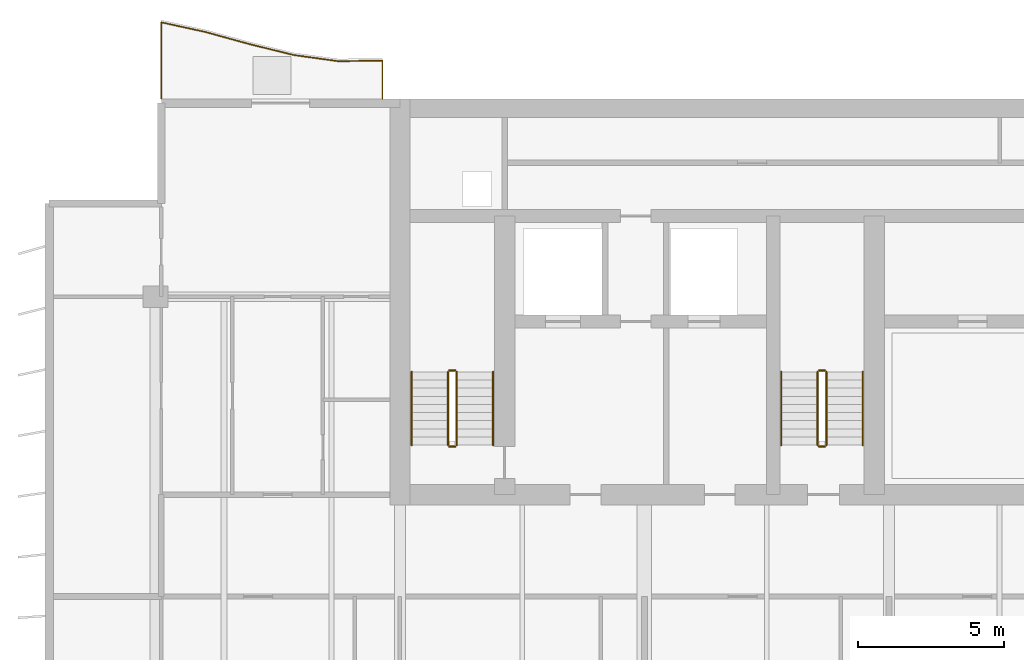
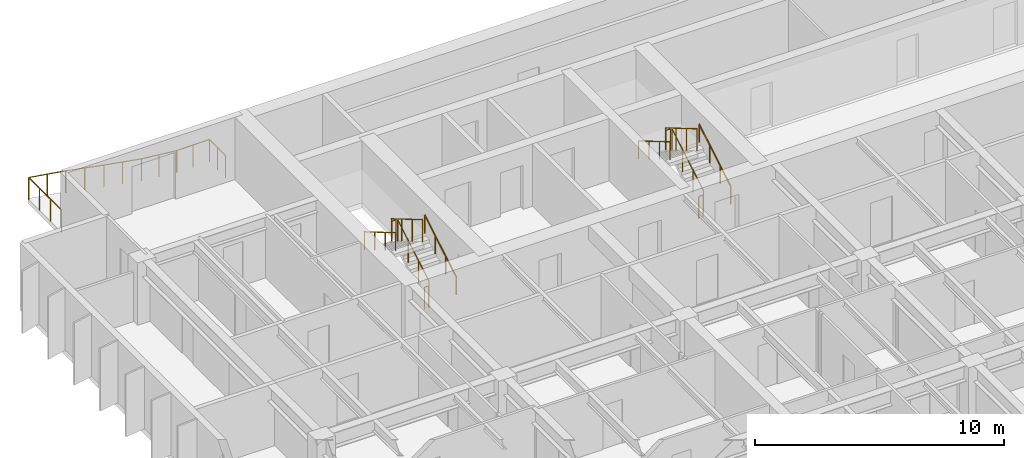
# One storey, part 17 of 19: 13 railings.
"""IFC4 building model written with IfcOpenShell, lengths in metres."""

from ifc_helpers import new_model, si_unit, direction, frame, origin, origin_2d, place, context, subcontext, project, spatial, circle, extrude, material, type_object, element, save


model = new_model("IFC4")

# Units and contexts
model_context = context("Model", 3, precision=1e-05, world=origin(), true_north=direction((0.0, 1.0)))
body_context = subcontext(model_context, "Body", "Model", "MODEL_VIEW")
ifc_project = project(units=[si_unit("LENGTHUNIT", "METRE"), si_unit("AREAUNIT", "SQUARE_METRE"), si_unit("VOLUMEUNIT", "CUBIC_METRE"), si_unit("PLANEANGLEUNIT", "RADIAN"), si_unit("MASSUNIT", "GRAM", prefix="KILO")], contexts=[model_context])

# Site, building, storey
site_placement = place(None, origin())
site = spatial("IfcSite", under=ifc_project, at=site_placement, CompositionType="ELEMENT")
building_placement = place(site_placement, origin())
building = spatial("IfcBuilding", under=site, at=building_placement, Name="Caelmar Bay Residences", CompositionType="ELEMENT")
storey_placement = place(building_placement, frame((0.0, 0.0, 195.0)))
storey = spatial("IfcBuildingStorey", under=building, at=storey_placement, Name="L54", CompositionType="ELEMENT", Elevation=195.0)

# Railings
ifc_material_1 = material(Name="Anodised bronze handrail with laminated hurricane glass infill", Category="glass")
railing_type_1 = type_object("IfcRailingType", Name="RL-BAL-1100", PredefinedType="BALUSTRADE", material=ifc_material_1)
railing_1_placement = place(storey_placement, frame((17.699951171875, 50.60009765625, 0.0)))
element("IfcRailing", 1, at=railing_1_placement, inside=storey, type_object=railing_type_1, Name="L54 north_west Balcony Balustrade", PredefinedType="BALUSTRADE", context=body_context, shape_type="SweptSolid", body=[
    extrude(circle(Radius=0.02392578125, at=origin_2d()), frame((0.0, 0.0, 1.076171875), z_axis=(0.0, 1.0, 0.0), x_axis=(-1.0, 0.0, 0.0)), (0.0, 0.0, 1.0), 1.310302734375),
    extrude(circle(Radius=0.02392578125, at=origin_2d()), frame((0.0, 1.310302734375, 1.076171875), z_axis=(-0.999921532492, -0.012527124885, 0.0), x_axis=(0.012527124885, -0.999921532492, 0.0)), (0.0, 0.0, 1.0), 1.52001953125),
    extrude(circle(Radius=0.02392578125, at=origin_2d()), frame((-1.52001953125, 1.291259765625, 1.076171875), z_axis=(-0.990551196857, 0.137143451926, 0.0), x_axis=(-0.137143451926, -0.990551196857, 0.0)), (0.0, 0.0, 1.0), 1.534423828125),
    extrude(circle(Radius=0.02392578125, at=origin_2d()), frame((-3.0400390625, 1.501708984375, 1.076171875), z_axis=(-0.971143394628, 0.238496346031, 0.0), x_axis=(-0.238496346031, -0.971143394628, 0.0)), (0.0, 0.0, 1.0), 1.565185546875),
    extrude(circle(Radius=0.02392578125, at=origin_2d()), frame((-4.56005859375, 1.875, 1.076171875), z_axis=(-0.964041885028, 0.265750341319, 0.0), x_axis=(-0.265750341319, -0.964041885028, 0.0)), (0.0, 0.0, 1.0), 1.576416015625),
    extrude(circle(Radius=0.02392578125, at=origin_2d()), frame((-6.079833984375, 2.2939453125, 1.076171875), z_axis=(-0.976865202557, 0.2138559703, 0.0), x_axis=(-0.2138559703, -0.976865202557, 0.0)), (0.0, 0.0, 1.0), 1.555908203125),
    extrude(circle(Radius=0.02392578125, at=origin_2d()), frame((-7.599853515625, 2.626708984375, 1.076171875), z_axis=(0.0, -1.0, 0.0), x_axis=(1.0, 0.0, 0.0)), (0.0, 0.0, 1.0), 2.626708984375),
    extrude(circle(Radius=0.02099609375, at=origin_2d()), origin(), (0.0, 0.0, 1.0), 1.052001953125),
    extrude(circle(Radius=0.02099609375, at=origin_2d()), frame((0.0, 0.6552734375, 0.0)), (0.0, 0.0, 1.0), 1.052001953125),
    extrude(circle(Radius=0.02099609375, at=origin_2d()), frame((0.0, 1.310302734375, 0.0)), (0.0, 0.0, 1.0), 1.052001953125),
    extrude(circle(Radius=0.02099609375, at=origin_2d()), frame((-0.760009765625, 1.30078125, 0.0)), (0.0, 0.0, 1.0), 1.052001953125),
    extrude(circle(Radius=0.02099609375, at=origin_2d()), frame((-1.52001953125, 1.291259765625, 0.0)), (0.0, 0.0, 1.0), 1.052001953125),
    extrude(circle(Radius=0.02099609375, at=origin_2d()), frame((-2.280029296875, 1.396484375, 0.0)), (0.0, 0.0, 1.0), 1.052001953125),
    extrude(circle(Radius=0.02099609375, at=origin_2d()), frame((-3.0400390625, 1.501708984375, 0.0)), (0.0, 0.0, 1.0), 1.052001953125),
    extrude(circle(Radius=0.02099609375, at=origin_2d()), frame((-3.800048828125, 1.6884765625, 0.0)), (0.0, 0.0, 1.0), 1.052001953125),
    extrude(circle(Radius=0.02099609375, at=origin_2d()), frame((-4.56005859375, 1.875, 0.0)), (0.0, 0.0, 1.0), 1.052001953125),
    extrude(circle(Radius=0.02099609375, at=origin_2d()), frame((-5.31982421875, 2.08447265625, 0.0)), (0.0, 0.0, 1.0), 1.052001953125),
    extrude(circle(Radius=0.02099609375, at=origin_2d()), frame((-6.079833984375, 2.2939453125, 0.0)), (0.0, 0.0, 1.0), 1.052001953125),
    extrude(circle(Radius=0.02099609375, at=origin_2d()), frame((-6.83984375, 2.46044921875, 0.0)), (0.0, 0.0, 1.0), 1.052001953125),
    extrude(circle(Radius=0.02099609375, at=origin_2d()), frame((-7.599853515625, 2.626708984375, 0.0)), (0.0, 0.0, 1.0), 1.052001953125),
    extrude(circle(Radius=0.02099609375, at=origin_2d()), frame((-7.599853515625, 1.751220703125, 0.0)), (0.0, 0.0, 1.0), 1.052001953125),
    extrude(circle(Radius=0.02099609375, at=origin_2d()), frame((-7.599853515625, 0.87548828125, 0.0)), (0.0, 0.0, 1.0), 1.052001953125),
    extrude(circle(Radius=0.02099609375, at=origin_2d()), frame((-7.599853515625, 0.0, 0.0)), (0.0, 0.0, 1.0), 1.052001953125),
])
ifc_material_2 = material(Name="Painted galvanized steel stair guard 1100 mm", Category="steel")
railing_type_2 = type_object("IfcRailingType", Name="RL-GRD-1100", PredefinedType="GUARDRAIL", material=ifc_material_2)
railing_2_placement = place(storey_placement, frame((20.25, 38.699951171875, 0.1650390625)))
element("IfcRailing", 2, at=railing_2_placement, inside=storey, type_object=railing_type_2, Name="L54 ST1 stair guard 1", PredefinedType="GUARDRAIL", context=body_context, shape_type="SweptSolid", body=[
    extrude(circle(Radius=0.02392578125, at=origin_2d()), frame((0.0, 0.0, 1.076171875), z_axis=(0.0, 0.861560626758, 0.507654692109), x_axis=(-1.0, 0.0, 0.0)), (0.0, 0.0, 1.0), 2.925048828125),
    extrude(circle(Radius=0.02099609375, at=origin_2d()), origin(), (0.0, 0.0, 1.0), 1.052001953125),
    extrude(circle(Radius=0.02099609375, at=origin_2d()), frame((0.0, 0.840087890625, 0.494873046875)), (0.0, 0.0, 1.0), 1.052001953125),
    extrude(circle(Radius=0.02099609375, at=origin_2d()), frame((0.0, 1.679931640625, 0.989990234375)), (0.0, 0.0, 1.0), 1.052001953125),
    extrude(circle(Radius=0.02099609375, at=origin_2d()), frame((0.0, 2.52001953125, 1.48486328125)), (0.0, 0.0, 1.0), 1.052001953125),
])
railing_3_placement = place(storey_placement, frame((20.199951171875, 41.27001953125, 1.64990234375)))
element("IfcRailing", 3, at=railing_3_placement, inside=storey, type_object=railing_type_2, Name="L54 ST1 stair guard 2", PredefinedType="GUARDRAIL", context=body_context, shape_type="SweptSolid", body=[
    extrude(circle(Radius=0.02392578125, at=origin_2d()), frame((0.0, 0.0, 1.076171875), z_axis=(-1.0, 0.0, 0.0), x_axis=(0.0, -1.0, 0.0)), (0.0, 0.0, 1.0), 0.199951171875),
    extrude(circle(Radius=0.02099609375, at=origin_2d()), origin(), (0.0, 0.0, 1.0), 1.052001953125),
    extrude(circle(Radius=0.02099609375, at=origin_2d()), frame((-0.199951171875, 0.0, 0.0)), (0.0, 0.0, 1.0), 1.052001953125),
])
railing_4_placement = place(storey_placement, frame((19.949951171875, 41.219970703125, 1.81494140625)))
element("IfcRailing", 4, at=railing_4_placement, inside=storey, type_object=railing_type_2, Name="L54 ST1 stair guard 3", PredefinedType="GUARDRAIL", context=body_context, shape_type="SweptSolid", body=[
    extrude(circle(Radius=0.02392578125, at=origin_2d()), frame((0.0, 0.0, 1.076171875), z_axis=(0.0, -0.86152411907, 0.507716645641), x_axis=(1.0, 0.0, 0.0)), (0.0, 0.0, 1.0), 2.925048828125),
    extrude(circle(Radius=0.02099609375, at=origin_2d()), origin(), (0.0, 0.0, 1.0), 1.052001953125),
    extrude(circle(Radius=0.02099609375, at=origin_2d()), frame((0.0, -0.840087890625, 0.4951171875)), (0.0, 0.0, 1.0), 1.052001953125),
    extrude(circle(Radius=0.02099609375, at=origin_2d()), frame((0.0, -1.679931640625, 0.989990234375)), (0.0, 0.0, 1.0), 1.052001953125),
    extrude(circle(Radius=0.02099609375, at=origin_2d()), frame((0.0, -2.52001953125, 1.485107421875)), (0.0, 0.0, 1.0), 1.052001953125),
])
railing_5_placement = place(storey_placement, frame((20.199951171875, 38.64990234375, 0.0)))
element("IfcRailing", 5, at=railing_5_placement, inside=storey, type_object=railing_type_2, Name="L54 ST1 stair guard 4", PredefinedType="GUARDRAIL", context=body_context, shape_type="SweptSolid", body=[
    extrude(circle(Radius=0.02392578125, at=origin_2d()), frame((0.0, 0.0, 1.076171875), z_axis=(-1.0, 0.0, 0.0), x_axis=(0.0, -1.0, 0.0)), (0.0, 0.0, 1.0), 0.199951171875),
    extrude(circle(Radius=0.02099609375, at=origin_2d()), origin(), (0.0, 0.0, 1.0), 1.052001953125),
    extrude(circle(Radius=0.02099609375, at=origin_2d()), frame((-0.199951171875, 0.0, 0.0)), (0.0, 0.0, 1.0), 1.052001953125),
])
railing_6_placement = place(storey_placement, frame((32.949951171875, 38.699951171875, 0.1650390625)))
element("IfcRailing", 6, at=railing_6_placement, inside=storey, type_object=railing_type_2, Name="L54 ST3 stair guard 1", PredefinedType="GUARDRAIL", context=body_context, shape_type="SweptSolid", body=[
    extrude(circle(Radius=0.02392578125, at=origin_2d()), frame((0.0, 0.0, 1.076171875), z_axis=(0.0, 0.861560626758, 0.507654692109), x_axis=(-1.0, 0.0, 0.0)), (0.0, 0.0, 1.0), 2.925048828125),
    extrude(circle(Radius=0.02099609375, at=origin_2d()), origin(), (0.0, 0.0, 1.0), 1.052001953125),
    extrude(circle(Radius=0.02099609375, at=origin_2d()), frame((0.0, 0.840087890625, 0.494873046875)), (0.0, 0.0, 1.0), 1.052001953125),
    extrude(circle(Radius=0.02099609375, at=origin_2d()), frame((0.0, 1.679931640625, 0.989990234375)), (0.0, 0.0, 1.0), 1.052001953125),
    extrude(circle(Radius=0.02099609375, at=origin_2d()), frame((0.0, 2.52001953125, 1.48486328125)), (0.0, 0.0, 1.0), 1.052001953125),
])
railing_7_placement = place(storey_placement, frame((32.89990234375, 41.27001953125, 1.64990234375)))
element("IfcRailing", 7, at=railing_7_placement, inside=storey, type_object=railing_type_2, Name="L54 ST3 stair guard 2", PredefinedType="GUARDRAIL", context=body_context, shape_type="SweptSolid", body=[
    extrude(circle(Radius=0.02392578125, at=origin_2d()), frame((0.0, 0.0, 1.076171875), z_axis=(-1.0, 0.0, 0.0), x_axis=(0.0, -1.0, 0.0)), (0.0, 0.0, 1.0), 0.199951171875),
    extrude(circle(Radius=0.02099609375, at=origin_2d()), origin(), (0.0, 0.0, 1.0), 1.052001953125),
    extrude(circle(Radius=0.02099609375, at=origin_2d()), frame((-0.199951171875, 0.0, 0.0)), (0.0, 0.0, 1.0), 1.052001953125),
])
railing_8_placement = place(storey_placement, frame((32.64990234375, 41.219970703125, 1.81494140625)))
element("IfcRailing", 8, at=railing_8_placement, inside=storey, type_object=railing_type_2, Name="L54 ST3 stair guard 3", PredefinedType="GUARDRAIL", context=body_context, shape_type="SweptSolid", body=[
    extrude(circle(Radius=0.02392578125, at=origin_2d()), frame((0.0, 0.0, 1.076171875), z_axis=(0.0, -0.86152411907, 0.507716645641), x_axis=(1.0, 0.0, 0.0)), (0.0, 0.0, 1.0), 2.925048828125),
    extrude(circle(Radius=0.02099609375, at=origin_2d()), origin(), (0.0, 0.0, 1.0), 1.052001953125),
    extrude(circle(Radius=0.02099609375, at=origin_2d()), frame((0.0, -0.840087890625, 0.4951171875)), (0.0, 0.0, 1.0), 1.052001953125),
    extrude(circle(Radius=0.02099609375, at=origin_2d()), frame((0.0, -1.679931640625, 0.989990234375)), (0.0, 0.0, 1.0), 1.052001953125),
    extrude(circle(Radius=0.02099609375, at=origin_2d()), frame((0.0, -2.52001953125, 1.485107421875)), (0.0, 0.0, 1.0), 1.052001953125),
])
railing_9_placement = place(storey_placement, frame((32.89990234375, 38.64990234375, 0.0)))
element("IfcRailing", 9, at=railing_9_placement, inside=storey, type_object=railing_type_2, Name="L54 ST3 stair guard 4", PredefinedType="GUARDRAIL", context=body_context, shape_type="SweptSolid", body=[
    extrude(circle(Radius=0.02392578125, at=origin_2d()), frame((0.0, 0.0, 1.076171875), z_axis=(-1.0, 0.0, 0.0), x_axis=(0.0, -1.0, 0.0)), (0.0, 0.0, 1.0), 0.199951171875),
    extrude(circle(Radius=0.02099609375, at=origin_2d()), origin(), (0.0, 0.0, 1.0), 1.052001953125),
    extrude(circle(Radius=0.02099609375, at=origin_2d()), frame((-0.199951171875, 0.0, 0.0)), (0.0, 0.0, 1.0), 1.052001953125),
])
ifc_material_3 = material(Name="Brushed bronze stainless-steel tubular handrail 900 mm", Category="steel")
railing_type_3 = type_object("IfcRailingType", Name="RL-HND-900", PredefinedType="HANDRAIL", material=ifc_material_3)
railing_10_placement = place(storey_placement, frame((21.5, 38.699951171875, 0.1650390625)))
element("IfcRailing", 10, at=railing_10_placement, inside=storey, type_object=railing_type_3, Name="L54 ST1 stair handrail 1", PredefinedType="HANDRAIL", context=body_context, shape_type="SweptSolid", body=[
    extrude(circle(Radius=0.02392578125, at=origin_2d()), frame((0.0, 0.0, 0.8759765625), z_axis=(0.0, 0.861560626758, 0.507654692109), x_axis=(-1.0, 0.0, 0.0)), (0.0, 0.0, 1.0), 2.925048828125),
    extrude(circle(Radius=0.02099609375, at=origin_2d()), origin(), (0.0, 0.0, 1.0), 0.851806640625),
    extrude(circle(Radius=0.02099609375, at=origin_2d()), frame((0.0, 0.840087890625, 0.494873046875)), (0.0, 0.0, 1.0), 0.851806640625),
    extrude(circle(Radius=0.02099609375, at=origin_2d()), frame((0.0, 1.679931640625, 0.989990234375)), (0.0, 0.0, 1.0), 0.851806640625),
    extrude(circle(Radius=0.02099609375, at=origin_2d()), frame((0.0, 2.52001953125, 1.48486328125)), (0.0, 0.0, 1.0), 0.851806640625),
])
railing_11_placement = place(storey_placement, frame((18.699951171875, 41.219970703125, 1.81494140625)))
element("IfcRailing", 11, at=railing_11_placement, inside=storey, type_object=railing_type_3, Name="L54 ST1 stair handrail 2", PredefinedType="HANDRAIL", context=body_context, shape_type="SweptSolid", body=[
    extrude(circle(Radius=0.02392578125, at=origin_2d()), frame((0.0, 0.0, 0.8759765625), z_axis=(0.0, -0.86152411907, 0.507716645641), x_axis=(1.0, 0.0, 0.0)), (0.0, 0.0, 1.0), 2.925048828125),
    extrude(circle(Radius=0.02099609375, at=origin_2d()), origin(), (0.0, 0.0, 1.0), 0.851806640625),
    extrude(circle(Radius=0.02099609375, at=origin_2d()), frame((0.0, -0.840087890625, 0.4951171875)), (0.0, 0.0, 1.0), 0.851806640625),
    extrude(circle(Radius=0.02099609375, at=origin_2d()), frame((0.0, -1.679931640625, 0.989990234375)), (0.0, 0.0, 1.0), 0.851806640625),
    extrude(circle(Radius=0.02099609375, at=origin_2d()), frame((0.0, -2.52001953125, 1.485107421875)), (0.0, 0.0, 1.0), 0.851806640625),
])
railing_12_placement = place(storey_placement, frame((34.199951171875, 38.699951171875, 0.1650390625)))
element("IfcRailing", 12, at=railing_12_placement, inside=storey, type_object=railing_type_3, Name="L54 ST3 stair handrail 1", PredefinedType="HANDRAIL", context=body_context, shape_type="SweptSolid", body=[
    extrude(circle(Radius=0.02392578125, at=origin_2d()), frame((0.0, 0.0, 0.8759765625), z_axis=(0.0, 0.861560626758, 0.507654692109), x_axis=(-1.0, 0.0, 0.0)), (0.0, 0.0, 1.0), 2.925048828125),
    extrude(circle(Radius=0.02099609375, at=origin_2d()), origin(), (0.0, 0.0, 1.0), 0.851806640625),
    extrude(circle(Radius=0.02099609375, at=origin_2d()), frame((0.0, 0.840087890625, 0.494873046875)), (0.0, 0.0, 1.0), 0.851806640625),
    extrude(circle(Radius=0.02099609375, at=origin_2d()), frame((0.0, 1.679931640625, 0.989990234375)), (0.0, 0.0, 1.0), 0.851806640625),
    extrude(circle(Radius=0.02099609375, at=origin_2d()), frame((0.0, 2.52001953125, 1.48486328125)), (0.0, 0.0, 1.0), 0.851806640625),
])
railing_13_placement = place(storey_placement, frame((31.39990234375, 41.219970703125, 1.81494140625)))
element("IfcRailing", 13, at=railing_13_placement, inside=storey, type_object=railing_type_3, Name="L54 ST3 stair handrail 2", PredefinedType="HANDRAIL", context=body_context, shape_type="SweptSolid", body=[
    extrude(circle(Radius=0.02392578125, at=origin_2d()), frame((0.0, 0.0, 0.8759765625), z_axis=(0.0, -0.86152411907, 0.507716645641), x_axis=(1.0, 0.0, 0.0)), (0.0, 0.0, 1.0), 2.925048828125),
    extrude(circle(Radius=0.02099609375, at=origin_2d()), origin(), (0.0, 0.0, 1.0), 0.851806640625),
    extrude(circle(Radius=0.02099609375, at=origin_2d()), frame((0.0, -0.840087890625, 0.4951171875)), (0.0, 0.0, 1.0), 0.851806640625),
    extrude(circle(Radius=0.02099609375, at=origin_2d()), frame((0.0, -1.679931640625, 0.989990234375)), (0.0, 0.0, 1.0), 0.851806640625),
    extrude(circle(Radius=0.02099609375, at=origin_2d()), frame((0.0, -2.52001953125, 1.485107421875)), (0.0, 0.0, 1.0), 0.851806640625),
])

save(model, "model.ifc")
